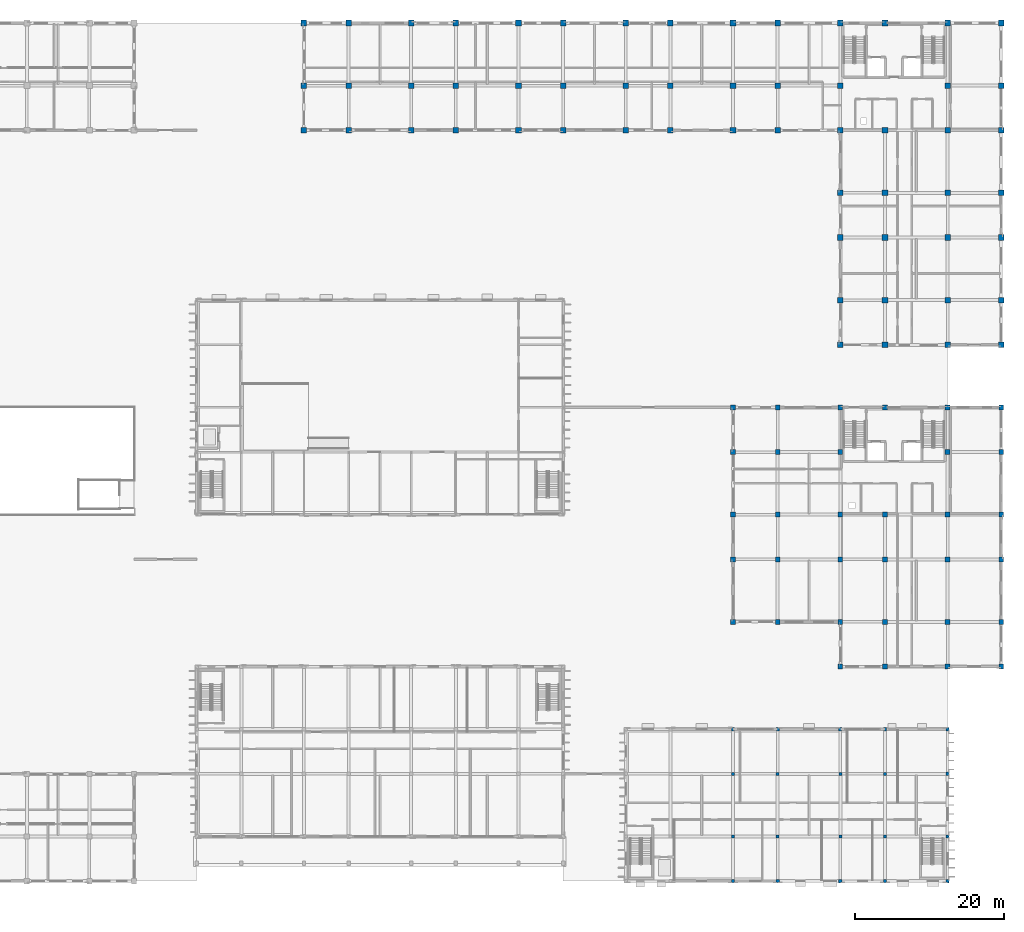
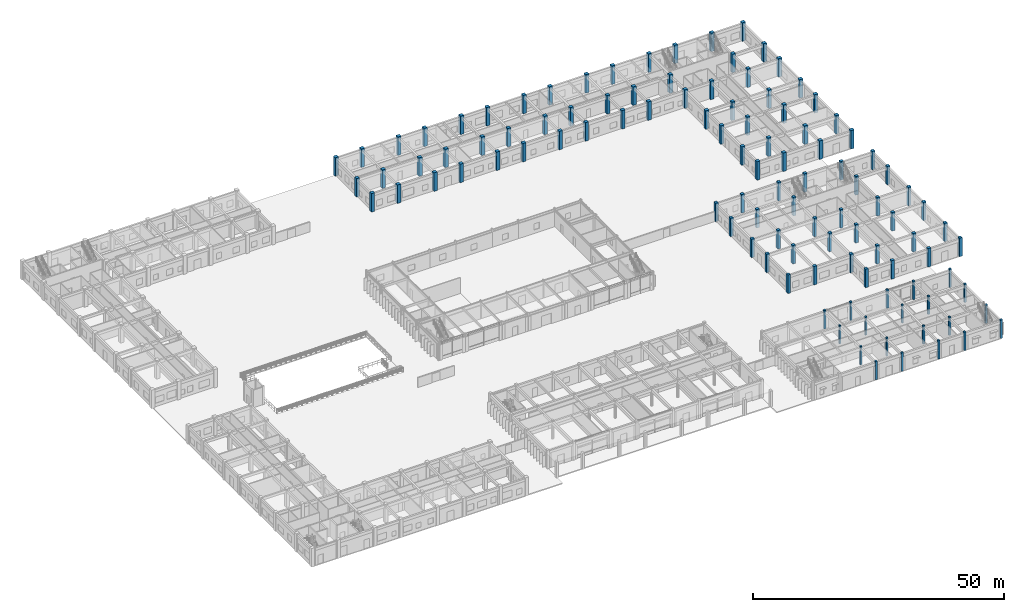
# One storey, part 10 of 67: 110 columns.
"""IFC4 building model written with IfcOpenShell, lengths in metres."""

from ifc_helpers import new_model, si_unit, direction, frame, origin, origin_2d, place, context, subcontext, project, spatial, rectangle, extrude, material, material_profile, profile_set, type_object, element, save


model = new_model("IFC4")

# Units and contexts
model_context = context("Model", 3, precision=1e-05, world=origin(), true_north=direction((0.0, 1.0)))
body_context = subcontext(model_context, "Body", "Model", "MODEL_VIEW")
ifc_project = project(units=[si_unit("LENGTHUNIT", "METRE"), si_unit("AREAUNIT", "SQUARE_METRE"), si_unit("VOLUMEUNIT", "CUBIC_METRE"), si_unit("PLANEANGLEUNIT", "RADIAN"), si_unit("MASSUNIT", "GRAM", prefix="KILO"), si_unit("THERMODYNAMICTEMPERATUREUNIT", "KELVIN")], contexts=[model_context])

# Site, building, storey
site_placement = place(None, origin())
site = spatial("IfcSite", under=ifc_project, at=site_placement, CompositionType="ELEMENT")
building_placement = place(site_placement, origin())
building = spatial("IfcBuilding", under=site, at=building_placement, Name="Thalorik Housing Commons", CompositionType="ELEMENT")
storey_placement = place(building_placement, origin())
storey = spatial("IfcBuildingStorey", under=building, at=storey_placement, Name="L00", CompositionType="ELEMENT", Elevation=0.0)

# Columns
ifc_material = material(Name="Precast concrete C40/50", Category="concrete")
ifc_material_profile_1 = material_profile(ifc_material, rectangle(XDim=0.39990234375, YDim=0.39990234375, at=origin_2d()), Name="PC 400x400", Category="concrete")
ifc_profile_set_1 = profile_set([ifc_material_profile_1], Name="Precast concrete C40/50")
column_type_1 = type_object("IfcColumnType", Name="STR-COL-PC400", PredefinedType="COLUMN", material=ifc_profile_set_1)
for number, where, z_axis, x_axis, name in (
    (1, (138.0, 14.39990234375, 0.0), (0.0, 0.0, 1.0), (1.0, 0.0, 0.0), "L00 Column C-400"),
    (2, (138.0, 22.800048828125, 0.0), (0.0, 0.0, 1.0), (1.0, 0.0, 0.0), "L00 Column C-400"),
    (3, (144.0, 14.39990234375, 0.0), (0.0, 0.0, 1.0), (1.0, 0.0, 0.0), "L00 Column C-400"),
    (4, (144.0, 22.800048828125, 0.0), (0.0, 0.0, 1.0), (1.0, 0.0, 0.0), "L00 Column C-400"),
    (5, (152.39990234375, 14.39990234375, 0.0), (0.0, 0.0, 1.0), (1.0, 0.0, 0.0), "L00 Column C-400"),
    (6, (152.39990234375, 22.800048828125, 0.0), (0.0, 0.0, 1.0), (1.0, 0.0, 0.0), "L00 Column C-400"),
    (7, (158.39990234375, 14.39990234375, 0.0), (0.0, 0.0, 1.0), (1.0, 0.0, 0.0), "L00 Column C-400"),
    (8, (158.39990234375, 22.800048828125, 0.0), (0.0, 0.0, 1.0), (1.0, 0.0, 0.0), "L00 Column C-400"),
):
    element("IfcColumn", number, at=place(storey_placement, frame(where, z_axis=z_axis, x_axis=x_axis)), inside=storey, type_object=column_type_1, Name=name, PredefinedType="COLUMN", context=body_context, shape_type="SweptSolid", body=[
        extrude(rectangle(XDim=0.39990234375, YDim=0.39990234375, at=origin_2d()), origin(), (0.0, 0.0, 1.0), 4.5),
    ])
ifc_material_profile_2 = material_profile(ifc_material, rectangle(XDim=0.449951171875, YDim=0.449951171875, at=origin_2d()), Name="PC 450x450", Category="concrete")
ifc_profile_set_2 = profile_set([ifc_material_profile_2], Name="Precast concrete C40/50")
column_type_2 = type_object("IfcColumnType", Name="STR-COL-PC450", PredefinedType="COLUMN", material=ifc_profile_set_2)
for number, where, z_axis, x_axis, name in (
    (9, (138.0, 8.39990234375, 0.0), (0.0, 0.0, 1.0), (1.0, 0.0, 0.0), "L00 Column C-450"),
    (10, (138.0, 28.800048828125, 0.0), (0.0, 0.0, 1.0), (1.0, 0.0, 0.0), "L00 Column C-450"),
    (11, (144.0, 8.39990234375, 0.0), (0.0, 0.0, 1.0), (1.0, 0.0, 0.0), "L00 Column C-450"),
    (12, (144.0, 28.800048828125, 0.0), (0.0, 0.0, 1.0), (1.0, 0.0, 0.0), "L00 Column C-450"),
    (13, (152.39990234375, 8.39990234375, 0.0), (0.0, 0.0, 1.0), (1.0, 0.0, 0.0), "L00 Column C-450"),
    (14, (152.39990234375, 28.800048828125, 0.0), (0.0, 0.0, 1.0), (1.0, 0.0, 0.0), "L00 Column C-450"),
    (15, (158.39990234375, 8.39990234375, 0.0), (0.0, 0.0, 1.0), (1.0, 0.0, 0.0), "L00 Column C-450"),
    (16, (158.39990234375, 28.800048828125, 0.0), (0.0, 0.0, 1.0), (1.0, 0.0, 0.0), "L00 Column C-450"),
    (17, (166.800048828125, 8.39990234375, 0.0), (0.0, 0.0, 1.0), (1.0, 0.0, 0.0), "L00 Column C-450"),
    (18, (166.800048828125, 14.39990234375, 0.0), (0.0, 0.0, 1.0), (1.0, 0.0, 0.0), "L00 Column C-450"),
    (19, (166.800048828125, 22.800048828125, 0.0), (0.0, 0.0, 1.0), (1.0, 0.0, 0.0), "L00 Column C-450"),
    (20, (166.800048828125, 28.800048828125, 0.0), (0.0, 0.0, 1.0), (1.0, 0.0, 0.0), "L00 Column C-450"),
):
    element("IfcColumn", number, at=place(storey_placement, frame(where, z_axis=z_axis, x_axis=x_axis)), inside=storey, type_object=column_type_2, Name=name, PredefinedType="COLUMN", context=body_context, shape_type="SweptSolid", body=[
        extrude(rectangle(XDim=0.449951171875, YDim=0.449951171875, at=origin_2d()), origin(), (0.0, 0.0, 1.0), 4.5),
    ])
ifc_material_profile_3 = material_profile(ifc_material, rectangle(XDim=0.64990234375, YDim=0.64990234375, at=origin_2d()), Name="PC 650x650", Category="concrete")
ifc_profile_set_3 = profile_set([ifc_material_profile_3], Name="Precast concrete C40/50")
column_type_3 = type_object("IfcColumnType", Name="STR-COL-PC650", PredefinedType="COLUMN", material=ifc_profile_set_3)
for number, where, z_axis, x_axis, name in (
    (21, (138.0, 43.199951171875, 0.0), (0.0, 0.0, 1.0), (1.0, 0.0, 0.0), "L00 Column C-650"),
    (22, (138.0, 51.60009765625, 0.0), (0.0, 0.0, 1.0), (1.0, 0.0, 0.0), "L00 Column C-650"),
    (23, (138.0, 57.60009765625, 0.0), (0.0, 0.0, 1.0), (1.0, 0.0, 0.0), "L00 Column C-650"),
    (24, (138.0, 66.0, 0.0), (0.0, 0.0, 1.0), (1.0, 0.0, 0.0), "L00 Column C-650"),
    (25, (138.0, 72.0, 0.0), (0.0, 0.0, 1.0), (1.0, 0.0, 0.0), "L00 Column C-650"),
    (26, (144.0, 43.199951171875, 0.0), (0.0, 0.0, 1.0), (1.0, 0.0, 0.0), "L00 Column C-650"),
    (27, (144.0, 51.60009765625, 0.0), (0.0, 0.0, 1.0), (1.0, 0.0, 0.0), "L00 Column C-650"),
    (28, (144.0, 57.60009765625, 0.0), (0.0, 0.0, 1.0), (1.0, 0.0, 0.0), "L00 Column C-650"),
    (29, (144.0, 66.0, 0.0), (0.0, 0.0, 1.0), (1.0, 0.0, 0.0), "L00 Column C-650"),
    (30, (144.0, 72.0, 0.0), (0.0, 0.0, 1.0), (1.0, 0.0, 0.0), "L00 Column C-650"),
    (31, (152.39990234375, 37.199951171875, 0.0), (0.0, 0.0, 1.0), (1.0, 0.0, 0.0), "L00 Column C-650"),
    (32, (152.39990234375, 43.199951171875, 0.0), (0.0, 0.0, 1.0), (1.0, 0.0, 0.0), "L00 Column C-650"),
    (33, (152.39990234375, 51.60009765625, 0.0), (0.0, 0.0, 1.0), (1.0, 0.0, 0.0), "L00 Column C-650"),
    (34, (152.39990234375, 57.60009765625, 0.0), (0.0, 0.0, 1.0), (1.0, 0.0, 0.0), "L00 Column C-650"),
    (35, (152.39990234375, 66.0, 0.0), (0.0, 0.0, 1.0), (1.0, 0.0, 0.0), "L00 Column C-650"),
    (36, (152.39990234375, 72.0, 0.0), (0.0, 0.0, 1.0), (1.0, 0.0, 0.0), "L00 Column C-650"),
    (37, (158.39990234375, 37.199951171875, 0.0), (0.0, 0.0, 1.0), (1.0, 0.0, 0.0), "L00 Column C-650"),
    (38, (158.39990234375, 43.199951171875, 0.0), (0.0, 0.0, 1.0), (1.0, 0.0, 0.0), "L00 Column C-650"),
    (39, (158.39990234375, 51.60009765625, 0.0), (0.0, 0.0, 1.0), (1.0, 0.0, 0.0), "L00 Column C-650"),
    (40, (158.39990234375, 57.60009765625, 0.0), (0.0, 0.0, 1.0), (1.0, 0.0, 0.0), "L00 Column C-650"),
    (41, (158.39990234375, 72.0, 0.0), (0.0, 0.0, 1.0), (1.0, 0.0, 0.0), "L00 Column C-650"),
    (42, (166.800048828125, 37.199951171875, 0.0), (0.0, 0.0, 1.0), (1.0, 0.0, 0.0), "L00 Column C-650"),
    (43, (166.800048828125, 43.199951171875, 0.0), (0.0, 0.0, 1.0), (1.0, 0.0, 0.0), "L00 Column C-650"),
    (44, (166.800048828125, 51.60009765625, 0.0), (0.0, 0.0, 1.0), (1.0, 0.0, 0.0), "L00 Column C-650"),
    (45, (166.800048828125, 57.60009765625, 0.0), (0.0, 0.0, 1.0), (1.0, 0.0, 0.0), "L00 Column C-650"),
    (46, (166.800048828125, 66.0, 0.0), (0.0, 0.0, 1.0), (1.0, 0.0, 0.0), "L00 Column C-650"),
    (47, (166.800048828125, 72.0, 0.0), (0.0, 0.0, 1.0), (1.0, 0.0, 0.0), "L00 Column C-650"),
    (48, (174.0, 37.199951171875, 0.0), (0.0, 0.0, 1.0), (1.0, 0.0, 0.0), "L00 Column C-650"),
    (49, (174.0, 43.199951171875, 0.0), (0.0, 0.0, 1.0), (1.0, 0.0, 0.0), "L00 Column C-650"),
    (50, (174.0, 51.60009765625, 0.0), (0.0, 0.0, 1.0), (1.0, 0.0, 0.0), "L00 Column C-650"),
    (51, (174.0, 57.60009765625, 0.0), (0.0, 0.0, 1.0), (1.0, 0.0, 0.0), "L00 Column C-650"),
    (52, (174.0, 66.0, 0.0), (0.0, 0.0, 1.0), (1.0, 0.0, 0.0), "L00 Column C-650"),
    (53, (174.0, 72.0, 0.0), (0.0, 0.0, 1.0), (1.0, 0.0, 0.0), "L00 Column C-650"),
):
    element("IfcColumn", number, at=place(storey_placement, frame(where, z_axis=z_axis, x_axis=x_axis)), inside=storey, type_object=column_type_3, Name=name, PredefinedType="COLUMN", context=body_context, shape_type="SweptSolid", body=[
        extrude(rectangle(XDim=0.64990234375, YDim=0.64990234375, at=origin_2d()), origin(), (0.0, 0.0, 1.0), 4.5),
    ])
ifc_material_profile_4 = material_profile(ifc_material, rectangle(XDim=0.75, YDim=0.75, at=origin_2d()), Name="PC 750x750", Category="concrete")
ifc_profile_set_4 = profile_set([ifc_material_profile_4], Name="Precast concrete C40/50")
column_type_4 = type_object("IfcColumnType", Name="STR-COL-PC750", PredefinedType="COLUMN", material=ifc_profile_set_4)
for number, where, z_axis, x_axis, name in (
    (54, (80.39990234375, 109.199951171875, 0.0), (0.0, 0.0, 1.0), (1.0, 0.0, 0.0), "L00 Column C-750"),
    (55, (80.39990234375, 115.199951171875, 0.0), (0.0, 0.0, 1.0), (1.0, 0.0, 0.0), "L00 Column C-750"),
    (56, (80.39990234375, 123.60009765625, 0.0), (0.0, 0.0, 1.0), (1.0, 0.0, 0.0), "L00 Column C-750"),
    (57, (86.39990234375, 109.199951171875, 0.0), (0.0, 0.0, 1.0), (1.0, 0.0, 0.0), "L00 Column C-750"),
    (58, (86.39990234375, 115.199951171875, 0.0), (0.0, 0.0, 1.0), (1.0, 0.0, 0.0), "L00 Column C-750"),
    (59, (86.39990234375, 123.60009765625, 0.0), (0.0, 0.0, 1.0), (1.0, 0.0, 0.0), "L00 Column C-750"),
    (60, (94.800048828125, 109.199951171875, 0.0), (0.0, 0.0, 1.0), (1.0, 0.0, 0.0), "L00 Column C-750"),
    (61, (94.800048828125, 115.199951171875, 0.0), (0.0, 0.0, 1.0), (1.0, 0.0, 0.0), "L00 Column C-750"),
    (62, (94.800048828125, 123.60009765625, 0.0), (0.0, 0.0, 1.0), (1.0, 0.0, 0.0), "L00 Column C-750"),
    (63, (100.800048828125, 109.199951171875, 0.0), (0.0, 0.0, 1.0), (1.0, 0.0, 0.0), "L00 Column C-750"),
    (64, (100.800048828125, 115.199951171875, 0.0), (0.0, 0.0, 1.0), (1.0, 0.0, 0.0), "L00 Column C-750"),
    (65, (100.800048828125, 123.60009765625, 0.0), (0.0, 0.0, 1.0), (1.0, 0.0, 0.0), "L00 Column C-750"),
    (66, (109.199951171875, 109.199951171875, 0.0), (0.0, 0.0, 1.0), (1.0, 0.0, 0.0), "L00 Column C-750"),
    (67, (109.199951171875, 115.199951171875, 0.0), (0.0, 0.0, 1.0), (1.0, 0.0, 0.0), "L00 Column C-750"),
    (68, (109.199951171875, 123.60009765625, 0.0), (0.0, 0.0, 1.0), (1.0, 0.0, 0.0), "L00 Column C-750"),
    (69, (115.199951171875, 109.199951171875, 0.0), (0.0, 0.0, 1.0), (1.0, 0.0, 0.0), "L00 Column C-750"),
    (70, (115.199951171875, 115.199951171875, 0.0), (0.0, 0.0, 1.0), (1.0, 0.0, 0.0), "L00 Column C-750"),
    (71, (115.199951171875, 123.60009765625, 0.0), (0.0, 0.0, 1.0), (1.0, 0.0, 0.0), "L00 Column C-750"),
    (72, (123.60009765625, 109.199951171875, 0.0), (0.0, 0.0, 1.0), (1.0, 0.0, 0.0), "L00 Column C-750"),
    (73, (123.60009765625, 115.199951171875, 0.0), (0.0, 0.0, 1.0), (1.0, 0.0, 0.0), "L00 Column C-750"),
    (74, (123.60009765625, 123.60009765625, 0.0), (0.0, 0.0, 1.0), (1.0, 0.0, 0.0), "L00 Column C-750"),
    (75, (129.60009765625, 109.199951171875, 0.0), (0.0, 0.0, 1.0), (1.0, 0.0, 0.0), "L00 Column C-750"),
    (76, (129.60009765625, 115.199951171875, 0.0), (0.0, 0.0, 1.0), (1.0, 0.0, 0.0), "L00 Column C-750"),
    (77, (129.60009765625, 123.60009765625, 0.0), (0.0, 0.0, 1.0), (1.0, 0.0, 0.0), "L00 Column C-750"),
    (78, (138.0, 109.199951171875, 0.0), (0.0, 0.0, 1.0), (1.0, 0.0, 0.0), "L00 Column C-750"),
    (79, (138.0, 115.199951171875, 0.0), (0.0, 0.0, 1.0), (1.0, 0.0, 0.0), "L00 Column C-750"),
    (80, (138.0, 123.60009765625, 0.0), (0.0, 0.0, 1.0), (1.0, 0.0, 0.0), "L00 Column C-750"),
    (81, (144.0, 109.199951171875, 0.0), (0.0, 0.0, 1.0), (1.0, 0.0, 0.0), "L00 Column C-750"),
    (82, (144.0, 115.199951171875, 0.0), (0.0, 0.0, 1.0), (1.0, 0.0, 0.0), "L00 Column C-750"),
    (83, (144.0, 123.60009765625, 0.0), (0.0, 0.0, 1.0), (1.0, 0.0, 0.0), "L00 Column C-750"),
    (84, (152.39990234375, 80.39990234375, 0.0), (0.0, 0.0, 1.0), (1.0, 0.0, 0.0), "L00 Column C-750"),
    (85, (152.39990234375, 86.39990234375, 0.0), (0.0, 0.0, 1.0), (1.0, 0.0, 0.0), "L00 Column C-750"),
    (86, (152.39990234375, 94.800048828125, 0.0), (0.0, 0.0, 1.0), (1.0, 0.0, 0.0), "L00 Column C-750"),
    (87, (152.39990234375, 100.800048828125, 0.0), (0.0, 0.0, 1.0), (1.0, 0.0, 0.0), "L00 Column C-750"),
    (88, (152.39990234375, 109.199951171875, 0.0), (0.0, 0.0, 1.0), (1.0, 0.0, 0.0), "L00 Column C-750"),
    (89, (152.39990234375, 115.199951171875, 0.0), (0.0, 0.0, 1.0), (1.0, 0.0, 0.0), "L00 Column C-750"),
    (90, (152.39990234375, 123.60009765625, 0.0), (0.0, 0.0, 1.0), (1.0, 0.0, 0.0), "L00 Column C-750"),
    (91, (158.39990234375, 80.39990234375, 0.0), (0.0, 0.0, 1.0), (1.0, 0.0, 0.0), "L00 Column C-750"),
    (92, (158.39990234375, 86.39990234375, 0.0), (0.0, 0.0, 1.0), (1.0, 0.0, 0.0), "L00 Column C-750"),
    (93, (158.39990234375, 94.800048828125, 0.0), (0.0, 0.0, 1.0), (1.0, 0.0, 0.0), "L00 Column C-750"),
    (94, (158.39990234375, 100.800048828125, 0.0), (0.0, 0.0, 1.0), (1.0, 0.0, 0.0), "L00 Column C-750"),
    (95, (158.39990234375, 109.199951171875, 0.0), (0.0, 0.0, 1.0), (1.0, 0.0, 0.0), "L00 Column C-750"),
    (96, (158.39990234375, 123.60009765625, 0.0), (0.0, 0.0, 1.0), (1.0, 0.0, 0.0), "L00 Column C-750"),
    (97, (166.800048828125, 80.39990234375, 0.0), (0.0, 0.0, 1.0), (1.0, 0.0, 0.0), "L00 Column C-750"),
    (98, (166.800048828125, 86.39990234375, 0.0), (0.0, 0.0, 1.0), (1.0, 0.0, 0.0), "L00 Column C-750"),
    (99, (166.800048828125, 94.800048828125, 0.0), (0.0, 0.0, 1.0), (1.0, 0.0, 0.0), "L00 Column C-750"),
    (100, (166.800048828125, 100.800048828125, 0.0), (0.0, 0.0, 1.0), (1.0, 0.0, 0.0), "L00 Column C-750"),
    (101, (166.800048828125, 109.199951171875, 0.0), (0.0, 0.0, 1.0), (1.0, 0.0, 0.0), "L00 Column C-750"),
    (102, (166.800048828125, 115.199951171875, 0.0), (0.0, 0.0, 1.0), (1.0, 0.0, 0.0), "L00 Column C-750"),
    (103, (166.800048828125, 123.60009765625, 0.0), (0.0, 0.0, 1.0), (1.0, 0.0, 0.0), "L00 Column C-750"),
    (104, (174.0, 80.39990234375, 0.0), (0.0, 0.0, 1.0), (1.0, 0.0, 0.0), "L00 Column C-750"),
    (105, (174.0, 86.39990234375, 0.0), (0.0, 0.0, 1.0), (1.0, 0.0, 0.0), "L00 Column C-750"),
    (106, (174.0, 94.800048828125, 0.0), (0.0, 0.0, 1.0), (1.0, 0.0, 0.0), "L00 Column C-750"),
    (107, (174.0, 100.800048828125, 0.0), (0.0, 0.0, 1.0), (1.0, 0.0, 0.0), "L00 Column C-750"),
    (108, (174.0, 109.199951171875, 0.0), (0.0, 0.0, 1.0), (1.0, 0.0, 0.0), "L00 Column C-750"),
    (109, (174.0, 115.199951171875, 0.0), (0.0, 0.0, 1.0), (1.0, 0.0, 0.0), "L00 Column C-750"),
    (110, (174.0, 123.60009765625, 0.0), (0.0, 0.0, 1.0), (1.0, 0.0, 0.0), "L00 Column C-750"),
):
    element("IfcColumn", number, at=place(storey_placement, frame(where, z_axis=z_axis, x_axis=x_axis)), inside=storey, type_object=column_type_4, Name=name, PredefinedType="COLUMN", context=body_context, shape_type="SweptSolid", body=[
        extrude(rectangle(XDim=0.75, YDim=0.75, at=origin_2d()), origin(), (0.0, 0.0, 1.0), 4.5),
    ])

save(model, "model.ifc")
